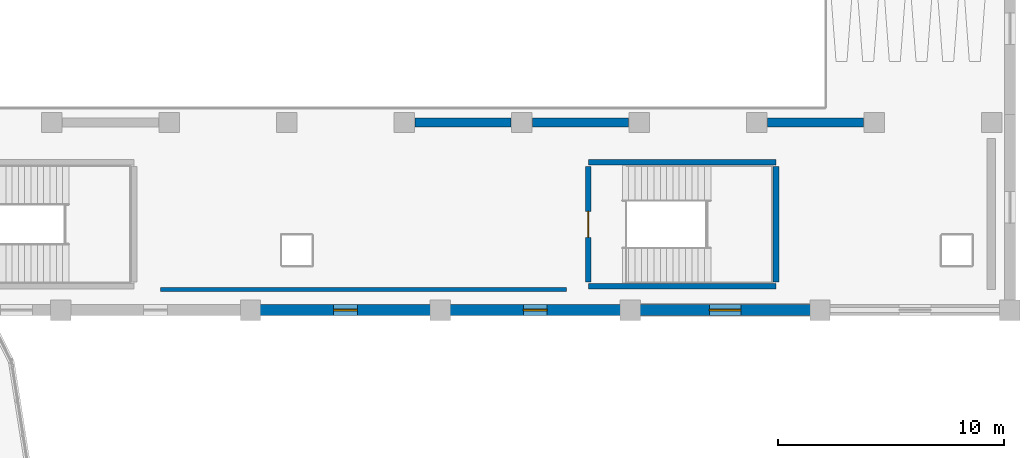
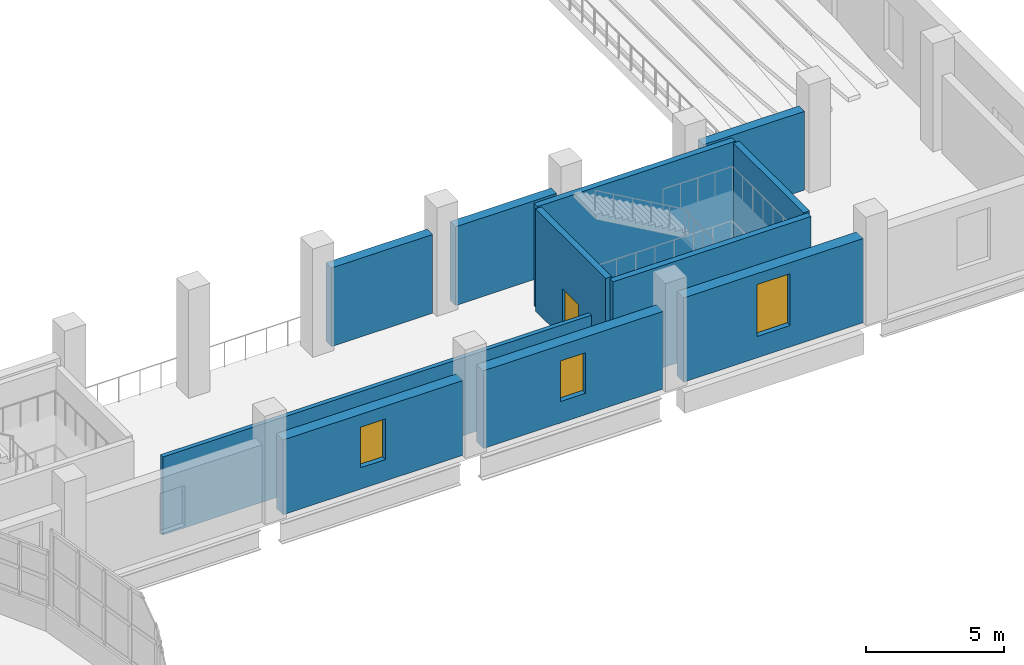
# One storey, part 59 of 77: 11 walls, 3 windows, 1 door, 4 openings.
"""IFC4 building model written with IfcOpenShell, lengths in metres."""

from ifc_helpers import new_model, si_unit, direction, frame, frame_2d, origin, place, context, subcontext, project, spatial, rectangle, extrude, material, layer, layer_set, type_object, element, fill, save


model = new_model("IFC4")

# Units and contexts
model_context = context("Model", 3, precision=1e-05, world=origin(), true_north=direction((0.0, 1.0)))
body_context = subcontext(model_context, "Body", "Model", "MODEL_VIEW")
ifc_project = project(units=[si_unit("LENGTHUNIT", "METRE"), si_unit("AREAUNIT", "SQUARE_METRE"), si_unit("VOLUMEUNIT", "CUBIC_METRE"), si_unit("PLANEANGLEUNIT", "RADIAN"), si_unit("MASSUNIT", "GRAM", prefix="KILO")], contexts=[model_context])

# Site, building, storey
site_placement = place(None, origin())
site = spatial("IfcSite", under=ifc_project, at=site_placement, CompositionType="ELEMENT")
building_placement = place(site_placement, origin())
building = spatial("IfcBuilding", under=site, at=building_placement, Name="Solvento Point Concert Hall", CompositionType="ELEMENT")
storey_placement = place(building_placement, frame((0.0, 0.0, 10.199951171875)))
storey = spatial("IfcBuildingStorey", under=building, at=storey_placement, Name="L02", CompositionType="ELEMENT", Elevation=10.199951171875)

# Walls
ifc_material_1 = material(Name="Acoustic Double-Stud Gypsum Partition")
ifc_layer_1 = layer(ifc_material_1, 0.179931640625)
ifc_layer_set_1 = layer_set([ifc_layer_1], Name="Acoustic Double-Stud Gypsum Partition")
wall_type_1 = type_object("IfcWallType", Name="AcousticPartition_180", PredefinedType="PARTITIONING", material=ifc_layer_set_1)
wall_1_placement = place(storey_placement, frame((113.580078125, 43.419921875, 0.0), z_axis=(0.0, 0.0, 1.0), x_axis=(-1.0, 0.0, 0.0)))
element("IfcWall", 1, at=wall_1_placement, inside=storey, type_object=wall_type_1, Name="Interior acoustic partition PW-63 L02", PredefinedType="PARTITIONING", context=body_context, shape_type="SweptSolid", body=[
    extrude(rectangle(XDim=17.9599609375, YDim=0.179931640625, at=frame_2d((8.97998046875, 0.0))), origin(), (0.0, 0.0, 1.0), 3.4599609375),
])
ifc_material_2 = material(Name="Concrete C40/50", Category="concrete")
ifc_layer_2 = layer(ifc_material_2, 0.300048828125)
ifc_layer_set_2 = layer_set([ifc_layer_2], Name="Concrete C40/50")
wall_type_2 = type_object("IfcWallType", Name="CoreShearWall_300", PredefinedType="SHEAR", material=ifc_layer_set_2)
for number, where, z_axis, x_axis, name in (
    (2, (122.85009765625, 43.550048828125, 0.0), (0.0, 0.0, 1.0), (-1.0, 0.0, 0.0), "Stair core shear wall W-SH1 ST-07 L02"),
    (3, (114.550048828125, 49.050048828125, 0.0), (0.0, 0.0, 1.0), (1.0, 0.0, 0.0), "Stair core shear wall W-SH1 ST-07 L02"),
):
    element("IfcWall", number, at=place(storey_placement, frame(where, z_axis=z_axis, x_axis=x_axis)), inside=storey, type_object=wall_type_2, Name=name, PredefinedType="SHEAR", context=body_context, shape_type="SweptSolid", body=[
        extrude(rectangle(XDim=8.300048828125, YDim=0.25, at=frame_2d((4.14990234375, 0.0))), origin(), (0.0, 0.0, 1.0), 4.5400390625),
    ])

# Wall, opening, door
wall_2_placement = place(storey_placement, frame((114.550048828125, 43.75, 0.0), z_axis=(0.0, 0.0, 1.0), x_axis=(0.0, 1.0, 0.0)))
wall_2 = element("IfcWall", 4, at=wall_2_placement, inside=storey, type_object=wall_type_2, Name="Stair core shear wall W-SH1 ST-07 L02", PredefinedType="SHEAR", context=body_context, shape_type="SweptSolid", body=[
    extrude(rectangle(XDim=5.10009765625, YDim=0.25, at=frame_2d((2.550048828125, 0.0))), origin(), (0.0, 0.0, 1.0), 4.5400390625),
])
opening_1_placement = place(wall_2_placement, frame((1.97509765625, 0.0, 0.0)))
opening_1 = element("IfcOpeningElement", 5, at=opening_1_placement, cuts=wall_2, Name="Opening D-ST1", PredefinedType="OPENING", context=body_context, shape_type="SweptSolid", body=[
    extrude(rectangle(XDim=1.14990234375, YDim=2.179931640625, at=frame_2d((0.574951171875, 1.08984375))), frame((0.0, 0.135009765625, 0.0), z_axis=(0.0, -1.0, 0.0), x_axis=(1.0, 0.0, 0.0)), (0.0, 0.0, 1.0), 0.27001953125),
])
ifc_material_3 = material(Name="Hollow Metal Acoustic Fire Door")
door_type = type_object("IfcDoorType", Name="StairFireDoor_1150", OperationType="NOTDEFINED", PredefinedType="DOOR", material=ifc_material_3)
door_placement = place(opening_1_placement, origin())
door = element("IfcDoor", 6, at=door_placement, inside=storey, type_object=door_type, Name="Protected exit stair door ST-07 L02", OperationType="SINGLE_SWING_LEFT", OverallHeight=2.179931640625, OverallWidth=1.14990234375, PredefinedType="DOOR", context=body_context, shape_type="SweptSolid", body=[
    extrude(rectangle(XDim=1.14990234375, YDim=2.179931640625, at=frame_2d((0.574951171875, 1.08984375))), frame((0.0, 0.02490234375, 0.0), z_axis=(0.0, -1.0, 0.0), x_axis=(1.0, 0.0, 0.0)), (0.0, 0.0, 1.0), 0.050048828125),
])
fill(opening_1, door)

# Walls
wall_3_placement = place(storey_placement, frame((122.85009765625, 48.85009765625, 0.0), z_axis=(0.0, 0.0, 1.0), x_axis=(0.0, -1.0, 0.0)))
element("IfcWall", 7, at=wall_3_placement, inside=storey, type_object=wall_type_2, Name="Stair core shear wall W-SH1 ST-07 L02", PredefinedType="SHEAR", context=body_context, shape_type="SweptSolid", body=[
    extrude(rectangle(XDim=5.10009765625, YDim=0.25, at=frame_2d((2.550048828125, 0.0))), origin(), (0.0, 0.0, 1.0), 4.5400390625),
])
ifc_material_4 = material(Name="Concrete C40/50", Category="concrete")
ifc_layer_3 = layer(ifc_material_4, 0.39990234375)
ifc_layer_set_3 = layer_set([ifc_layer_3], Name="Concrete C40/50")
wall_type_3 = type_object("IfcWallType", Name="DrumShearWall_400", PredefinedType="SHEAR", material=ifc_layer_set_3)
wall_4_placement = place(storey_placement, frame((106.8798828125, 50.800048828125, 0.0), z_axis=(0.0, 0.0, 1.0), x_axis=(1.0, 0.0, 0.0)))
element("IfcWall", 8, at=wall_4_placement, inside=storey, type_object=wall_type_3, Name="Symphonic acoustic drum shear wall W-DR1 L02", PredefinedType="SHEAR", context=body_context, shape_type="SweptSolid", body=[
    extrude(rectangle(XDim=4.240234375, YDim=0.39990234375, at=frame_2d((2.1201171875, 0.0))), origin(), (0.0, 0.0, 1.0), 3.489990234375),
])
for number, where, z_axis, x_axis, name in (
    (9, (112.080078125, 50.800048828125, 0.0), (0.0, 0.0, 1.0), (1.0, 0.0, 0.0), "Symphonic acoustic drum shear wall W-DR1 L02"),
    (10, (122.47998046875, 50.800048828125, 0.0), (0.0, 0.0, 1.0), (1.0, 0.0, 0.0), "Symphonic acoustic drum shear wall W-DR1 L02"),
):
    element("IfcWall", number, at=place(storey_placement, frame(where, z_axis=z_axis, x_axis=x_axis)), inside=storey, type_object=wall_type_3, Name=name, PredefinedType="SHEAR", context=body_context, shape_type="SweptSolid", body=[
        extrude(rectangle(XDim=4.239990234375, YDim=0.39990234375, at=frame_2d((2.1201171875, 0.0))), origin(), (0.0, 0.0, 1.0), 3.489990234375),
    ])

# Wall, opening, window
ifc_material_5 = material(Name="Concrete C40/50", Category="concrete")
ifc_layer_4 = layer(ifc_material_5, 0.47998046875)
ifc_layer_set_4 = layer_set([ifc_layer_4], Name="Concrete C40/50")
wall_type_4 = type_object("IfcWallType", Name="ExtWall_V1_Drum_480", PredefinedType="SOLIDWALL", material=ifc_layer_set_4)
wall_5_placement = place(storey_placement, frame((107.570068359375, 42.5, 0.0), z_axis=(0.0, 0.0, 1.0), x_axis=(-1.0, 0.0, 0.0)))
wall_5 = element("IfcWall", 11, at=wall_5_placement, inside=storey, type_object=wall_type_4, Name="Exterior architectural concrete wall EW-46 L02", PredefinedType="SOLIDWALL", context=body_context, shape_type="SweptSolid", body=[
    extrude(rectangle(XDim=7.5400390625, YDim=0.47998046875, at=frame_2d((3.77001953125, 0.0))), origin(), (0.0, 0.0, 1.0), 3.318115234375),
])
opening_2_placement = place(wall_5_placement, frame((3.2451171875, 0.0, 0.949951171875)))
opening_2 = element("IfcOpeningElement", 12, at=opening_2_placement, cuts=wall_5, Name="Opening WN-89", PredefinedType="OPENING", context=body_context, shape_type="SweptSolid", body=[
    extrude(rectangle(XDim=1.050048828125, YDim=1.800048828125, at=frame_2d((0.52490234375, 0.89990234375))), frame((0.0, 0.25, 0.0), z_axis=(0.0, -1.0, 0.0), x_axis=(1.0, 0.0, 0.0)), (0.0, 0.0, 1.0), 0.5),
])
ifc_material_6 = material(Name="Hurricane Laminated Low-E Glass", Category="glass")
window_type_1 = type_object("IfcWindowType", Name="Win_NarrowPier_1050", PartitioningType="SINGLE_PANEL", PredefinedType="WINDOW", material=ifc_material_6)
window_1_placement = place(opening_2_placement, origin())
window_1 = element("IfcWindow", 13, at=window_1_placement, inside=storey, type_object=window_type_1, Name="Impact acoustic window WN-89", OverallHeight=1.800048828125, OverallWidth=1.050048828125, PartitioningType="SINGLE_PANEL", PredefinedType="WINDOW", context=body_context, shape_type="SweptSolid", body=[
    extrude(rectangle(XDim=1.050048828125, YDim=1.800048828125, at=frame_2d((0.52490234375, 0.89990234375))), frame((0.0, 0.030029296875, 0.0), z_axis=(0.0, -1.0, 0.0), x_axis=(1.0, 0.0, 0.0)), (0.0, 0.0, 1.0), 0.06005859375),
])
fill(opening_2, window_1)

wall_6_placement = place(storey_placement, frame((115.969970703125, 42.5, 0.0), z_axis=(0.0, 0.0, 1.0), x_axis=(-1.0, 0.0, 0.0)))
wall_6 = element("IfcWall", 14, at=wall_6_placement, inside=storey, type_object=wall_type_4, Name="Exterior architectural concrete wall EW-46 L02", PredefinedType="SOLIDWALL", context=body_context, shape_type="SweptSolid", body=[
    extrude(rectangle(XDim=7.5400390625, YDim=0.47998046875, at=frame_2d((3.77001953125, 0.0))), origin(), (0.0, 0.0, 1.0), 3.444091796875),
])
opening_3_placement = place(wall_6_placement, frame((3.2451171875, 0.0, 0.949951171875)))
opening_3 = element("IfcOpeningElement", 15, at=opening_3_placement, cuts=wall_6, Name="Opening WN-89", PredefinedType="OPENING", context=body_context, shape_type="SweptSolid", body=[
    extrude(rectangle(XDim=1.050048828125, YDim=1.800048828125, at=frame_2d((0.52490234375, 0.89990234375))), frame((0.0, 0.25, 0.0), z_axis=(0.0, -1.0, 0.0), x_axis=(1.0, 0.0, 0.0)), (0.0, 0.0, 1.0), 0.5),
])
window_2_placement = place(opening_3_placement, origin())
window_2 = element("IfcWindow", 16, at=window_2_placement, inside=storey, type_object=window_type_1, Name="Impact acoustic window WN-89", OverallHeight=1.800048828125, OverallWidth=1.050048828125, PartitioningType="SINGLE_PANEL", PredefinedType="WINDOW", context=body_context, shape_type="SweptSolid", body=[
    extrude(rectangle(XDim=1.050048828125, YDim=1.800048828125, at=frame_2d((0.52490234375, 0.89990234375))), frame((0.0, 0.030029296875, 0.0), z_axis=(0.0, -1.0, 0.0), x_axis=(1.0, 0.0, 0.0)), (0.0, 0.0, 1.0), 0.06005859375),
])
fill(opening_3, window_2)

wall_7_placement = place(storey_placement, frame((124.3701171875, 42.5, 0.0), z_axis=(0.0, 0.0, 1.0), x_axis=(-1.0, 0.0, 0.0)))
wall_7 = element("IfcWall", 17, at=wall_7_placement, inside=storey, type_object=wall_type_4, Name="Exterior architectural concrete wall EW-46 L02", PredefinedType="SOLIDWALL", context=body_context, shape_type="SweptSolid", body=[
    extrude(rectangle(XDim=7.5400390625, YDim=0.47998046875, at=frame_2d((3.77001953125, 0.0))), origin(), (0.0, 0.0, 1.0), 3.736083984375),
])
opening_4_placement = place(wall_7_placement, frame((3.070068359375, 0.0, 0.949951171875)))
opening_4 = element("IfcOpeningElement", 18, at=opening_4_placement, cuts=wall_7, Name="Opening WN-33", PredefinedType="OPENING", context=body_context, shape_type="SweptSolid", body=[
    extrude(rectangle(XDim=1.39990234375, YDim=2.300048828125, at=frame_2d((0.699951171875, 1.14990234375))), frame((0.0, 0.25, 0.0), z_axis=(0.0, -1.0, 0.0), x_axis=(1.0, 0.0, 0.0)), (0.0, 0.0, 1.0), 0.5),
])
ifc_material_7 = material(Name="Hurricane Laminated Low-E Glass", Category="glass")
window_type_2 = type_object("IfcWindowType", Name="Win_V1_ParterreSlot_L02", PartitioningType="SINGLE_PANEL", PredefinedType="WINDOW", material=ifc_material_7)
window_3_placement = place(opening_4_placement, origin())
window_3 = element("IfcWindow", 19, at=window_3_placement, inside=storey, type_object=window_type_2, Name="Impact acoustic window WN-33", OverallHeight=2.300048828125, OverallWidth=1.39990234375, PartitioningType="SINGLE_PANEL", PredefinedType="WINDOW", context=body_context, shape_type="SweptSolid", body=[
    extrude(rectangle(XDim=1.39990234375, YDim=2.300048828125, at=frame_2d((0.699951171875, 1.14990234375))), frame((0.0, 0.030029296875, 0.0), z_axis=(0.0, -1.0, 0.0), x_axis=(1.0, 0.0, 0.0)), (0.0, 0.0, 1.0), 0.06005859375),
])
fill(opening_4, window_3)

save(model, "model.ifc")
